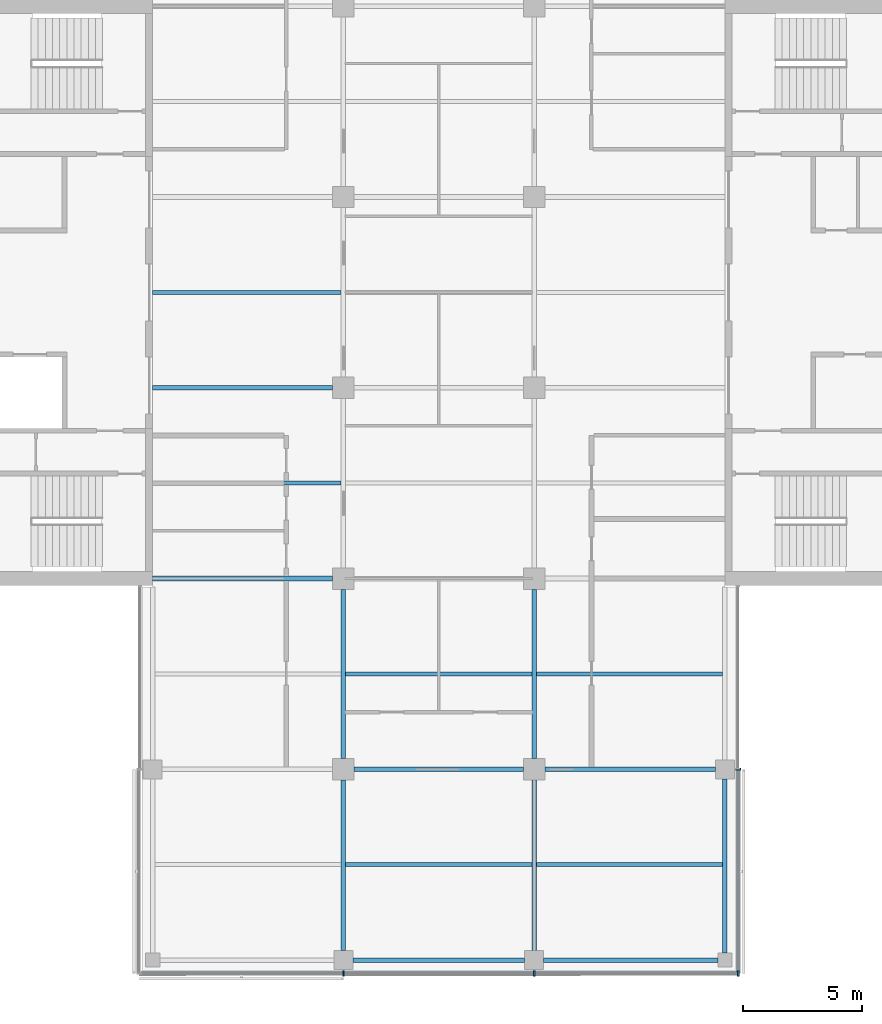
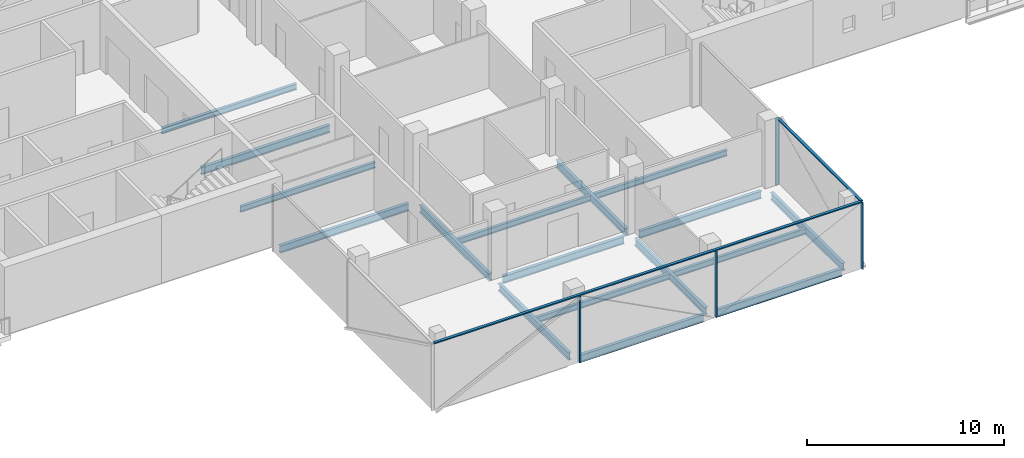
# One storey, part 4 of 18: 17 beams, 6 members, 2 elements without a shape of their own.
"""IFC4 building model written with IfcOpenShell, lengths in metres."""

from ifc_helpers import new_model, si_unit, direction, frame, origin, origin_2d, place, context, subcontext, project, spatial, rectangle, i_section, extrude, material, material_profile, profile_set, type_object, element, aggregate, save


model = new_model("IFC4")

# Units and contexts
model_context = context("Model", 3, precision=1e-05, world=origin(), true_north=direction((0.0, 1.0)))
body_context = subcontext(model_context, "Body", "Model", "MODEL_VIEW")
ifc_project = project(units=[si_unit("LENGTHUNIT", "METRE"), si_unit("AREAUNIT", "SQUARE_METRE"), si_unit("VOLUMEUNIT", "CUBIC_METRE"), si_unit("PLANEANGLEUNIT", "RADIAN"), si_unit("MASSUNIT", "GRAM", prefix="KILO")], contexts=[model_context])

# Site, building, storey
site_placement = place(None, origin())
site = spatial("IfcSite", under=ifc_project, at=site_placement, CompositionType="ELEMENT")
building_placement = place(site_placement, origin())
building = spatial("IfcBuilding", under=site, at=building_placement, Name="Crosswind Convention Tower", CompositionType="ELEMENT")
storey_placement = place(building_placement, frame((0.0, 0.0, 178.89990234375)))
storey = spatial("IfcBuildingStorey", under=building, at=storey_placement, Name="L37", CompositionType="ELEMENT", Elevation=178.89990234375)

# Beams
ifc_material_1 = material(Name="Steel S355", Category="steel")
ifc_material_profile_1 = material_profile(ifc_material_1, i_section(OverallWidth=0.18994140625, OverallDepth=0.45361328125, WebThickness=0.008544921875, FlangeThickness=0.0126953125, FilletRadius=0.01025390625, at=origin_2d()), Name="UB 457x191x67")
ifc_profile_set_1 = profile_set([ifc_material_profile_1], Name="Steel S355")
beam_type_1 = type_object("IfcBeamType", Name="Edge beam UB 457x191x67", PredefinedType="SPANDREL", material=ifc_profile_set_1)
beam_1_placement = place(storey_placement, frame((121.39990234375, 72.0, -0.526611328125), z_axis=(1.0, 0.0, 0.0), x_axis=(0.0, 1.0, 0.0)))
element("IfcBeam", 1, at=beam_1_placement, inside=storey, type_object=beam_type_1, Name="B16 L37 edge beam 12", PredefinedType="SPANDREL", context=body_context, shape_type="SweptSolid", body=[
    extrude(i_section(OverallWidth=0.18994140625, OverallDepth=0.45361328125, WebThickness=0.008544921875, FlangeThickness=0.0126953125, FilletRadius=0.01025390625, at=origin_2d()), origin(), (0.0, 0.0, 1.0), 7.2001953125),
])
for number, where, z_axis, x_axis, name in (
    (2, (129.39990234375, 72.0, -0.526611328125), (1.0, 0.0, 0.0), (0.0, 1.0, 0.0), "B16 L37 edge beam 14"),
    (3, (137.0, 72.300048828125, -0.526611328125), (0.0, 1.0, 0.0), (-1.0, 0.0, 0.0), "B16 L37 edge beam 16"),
):
    element("IfcBeam", number, at=place(storey_placement, frame(where, z_axis=z_axis, x_axis=x_axis)), inside=storey, type_object=beam_type_1, Name=name, PredefinedType="SPANDREL", context=body_context, shape_type="SweptSolid", body=[
        extrude(i_section(OverallWidth=0.18994140625, OverallDepth=0.45361328125, WebThickness=0.008544921875, FlangeThickness=0.0126953125, FilletRadius=0.01025390625, at=origin_2d()), origin(), (0.0, 0.0, 1.0), 7.300048828125),
    ])
ifc_material_profile_2 = material_profile(ifc_material_1, i_section(OverallWidth=0.1904296875, OverallDepth=0.457275390625, WebThickness=0.009033203125, FlangeThickness=0.014404296875, FilletRadius=0.01025390625, at=origin_2d()), Name="UB 457x191x75")
ifc_profile_set_2 = profile_set([ifc_material_profile_2], Name="Steel S355")
beam_type_2 = type_object("IfcBeamType", Name="Girder UB 457x191x75", PredefinedType="BEAM", material=ifc_profile_set_2)
beam_2_placement = place(storey_placement, frame((121.0, 72.39990234375, -0.528564453125), z_axis=(0.0, 1.0, 0.0), x_axis=(-1.0, 0.0, 0.0)))
element("IfcBeam", 4, at=beam_2_placement, inside=storey, type_object=beam_type_2, Name="B2 L37 girder 3", PredefinedType="BEAM", context=body_context, shape_type="SweptSolid", body=[
    extrude(i_section(OverallWidth=0.1904296875, OverallDepth=0.457275390625, WebThickness=0.009033203125, FlangeThickness=0.014404296875, FilletRadius=0.01025390625, at=origin_2d()), origin(), (0.0, 0.0, 1.0), 7.150146484375),
])
for number, where, z_axis, x_axis, name in (
    (5, (121.0, 80.449951171875, -0.528564453125), (0.0, 1.0, 0.0), (-1.0, 0.0, 0.0), "B2 L37 girder 4"),
    (6, (121.449951171875, 80.0, -0.528564453125), (1.0, 0.0, 0.0), (0.0, 1.0, 0.0), "B2 L37 girder 10"),
):
    element("IfcBeam", number, at=place(storey_placement, frame(where, z_axis=z_axis, x_axis=x_axis)), inside=storey, type_object=beam_type_2, Name=name, PredefinedType="BEAM", context=body_context, shape_type="SweptSolid", body=[
        extrude(i_section(OverallWidth=0.1904296875, OverallDepth=0.457275390625, WebThickness=0.009033203125, FlangeThickness=0.014404296875, FilletRadius=0.01025390625, at=origin_2d()), origin(), (0.0, 0.0, 1.0), 7.10009765625),
    ])
beam_3_placement = place(storey_placement, frame((129.0, 72.39990234375, -0.528564453125), z_axis=(0.0, 1.0, 0.0), x_axis=(-1.0, 0.0, 0.0)))
element("IfcBeam", 7, at=beam_3_placement, inside=storey, type_object=beam_type_2, Name="B2 L37 girder 16", PredefinedType="BEAM", context=body_context, shape_type="SweptSolid", body=[
    extrude(i_section(OverallWidth=0.1904296875, OverallDepth=0.457275390625, WebThickness=0.009033203125, FlangeThickness=0.014404296875, FilletRadius=0.01025390625, at=origin_2d()), origin(), (0.0, 0.0, 1.0), 7.150146484375),
])
beam_4_placement = place(storey_placement, frame((129.0, 80.449951171875, -0.528564453125), z_axis=(0.0, 1.0, 0.0), x_axis=(-1.0, 0.0, 0.0)))
element("IfcBeam", 8, at=beam_4_placement, inside=storey, type_object=beam_type_2, Name="B2 L37 girder 17", PredefinedType="BEAM", context=body_context, shape_type="SweptSolid", body=[
    extrude(i_section(OverallWidth=0.1904296875, OverallDepth=0.457275390625, WebThickness=0.009033203125, FlangeThickness=0.014404296875, FilletRadius=0.01025390625, at=origin_2d()), origin(), (0.0, 0.0, 1.0), 7.10009765625),
])
beam_5_placement = place(storey_placement, frame((129.449951171875, 80.0, -0.528564453125), z_axis=(1.0, 0.0, 0.0), x_axis=(0.0, 1.0, 0.0)))
element("IfcBeam", 9, at=beam_5_placement, inside=storey, type_object=beam_type_2, Name="B2 L37 girder 23", PredefinedType="BEAM", context=body_context, shape_type="SweptSolid", body=[
    extrude(i_section(OverallWidth=0.1904296875, OverallDepth=0.457275390625, WebThickness=0.009033203125, FlangeThickness=0.014404296875, FilletRadius=0.01025390625, at=origin_2d()), origin(), (0.0, 0.0, 1.0), 7.150146484375),
])
ifc_material_profile_3 = material_profile(ifc_material_1, i_section(OverallWidth=0.19140625, OverallDepth=0.460205078125, WebThickness=0.010009765625, FlangeThickness=0.01611328125, FilletRadius=0.01025390625, at=origin_2d()), Name="UB 457x191x82")
ifc_profile_set_3 = profile_set([ifc_material_profile_3], Name="Steel S355")
beam_type_3 = type_object("IfcBeamType", Name="Girder at core wall UB 457x191x82", PredefinedType="BEAM", material=ifc_profile_set_3)
for number, where, z_axis, x_axis, name in (
    (10, (113.0, 88.0, -0.530029296875), (1.0, 0.0, 0.0), (0.0, 1.0, 0.0), "B23 L37 girder at core wall 3"),
    (11, (113.0, 96.0, -0.530029296875), (1.0, 0.0, 0.0), (0.0, 1.0, 0.0), "B23 L37 girder at core wall 4"),
):
    element("IfcBeam", number, at=place(storey_placement, frame(where, z_axis=z_axis, x_axis=x_axis)), inside=storey, type_object=beam_type_3, Name=name, PredefinedType="BEAM", context=body_context, shape_type="SweptSolid", body=[
        extrude(i_section(OverallWidth=0.19140625, OverallDepth=0.460205078125, WebThickness=0.010009765625, FlangeThickness=0.01611328125, FilletRadius=0.01025390625, at=origin_2d()), origin(), (0.0, 0.0, 1.0), 7.550048828125),
    ])

# Curtain wall, members
ifc_material_2 = material(Name="Aluminium unitised curtain wall", Category="aluminium")
curtain_wall_type = type_object("IfcCurtainWallType", Name="OFFICE UNITISED WALL 220", PredefinedType="USERDEFINED", material=ifc_material_2)
curtain_wall_1_placement = place(storey_placement, origin())
curtain_wall_1 = element("IfcCurtainWall", 12, at=curtain_wall_1_placement, inside=storey, type_object=curtain_wall_type, Name="CW3 L37 S-TIP 1", ObjectType="UNITISED", PredefinedType="USERDEFINED")
ifc_material_3 = material(Name="Aluminium mullion", Category="aluminium")
ifc_material_profile_4 = material_profile(ifc_material_3, rectangle(XDim=0.219970703125, YDim=0.070068359375, at=origin_2d()), Name="AL 220X70")
ifc_profile_set_4 = profile_set([ifc_material_profile_4], Name="Aluminium mullion")
member_type_1 = type_object("IfcMemberType", Name="MULLION 70X220", PredefinedType="MULLION", material=ifc_profile_set_4)
member_1_placement = place(storey_placement, frame((121.0, 71.43994140625, -0.2998046875), z_axis=(0.0, 0.0, 1.0), x_axis=(0.0, -1.0, 0.0)))
member_1 = element("IfcMember", 13, at=member_1_placement, type_object=member_type_1, Name="CW3 mullion 2", PredefinedType="MULLION", context=body_context, shape_type="SweptSolid", body=[
    extrude(rectangle(XDim=0.219970703125, YDim=0.070068359375, at=origin_2d()), origin(), (0.0, 0.0, 1.0), 4.1298828125),
])
member_2_placement = place(storey_placement, frame((129.0, 71.43994140625, -0.2998046875), z_axis=(0.0, 0.0, 1.0), x_axis=(0.0, -1.0, 0.0)))
member_2 = element("IfcMember", 14, at=member_2_placement, type_object=member_type_1, Name="CW3 mullion 3", PredefinedType="MULLION", context=body_context, shape_type="SweptSolid", body=[
    extrude(rectangle(XDim=0.219970703125, YDim=0.070068359375, at=origin_2d()), origin(), (0.0, 0.0, 1.0), 4.1298828125),
])
member_3_placement = place(storey_placement, frame((137.56005859375, 71.43994140625, -0.2998046875), z_axis=(0.0, 0.0, 1.0), x_axis=(0.0, -1.0, 0.0)))
member_3 = element("IfcMember", 15, at=member_3_placement, type_object=member_type_1, Name="CW3 mullion 4", PredefinedType="MULLION", context=body_context, shape_type="SweptSolid", body=[
    extrude(rectangle(XDim=0.219970703125, YDim=0.070068359375, at=origin_2d()), origin(), (0.0, 0.0, 1.0), 4.1298828125),
])

# Curtain wall, member
curtain_wall_2_placement = place(storey_placement, origin())
curtain_wall_2 = element("IfcCurtainWall", 16, at=curtain_wall_2_placement, inside=storey, type_object=curtain_wall_type, Name="CW3 L37 S-E 1", ObjectType="UNITISED", PredefinedType="USERDEFINED")
member_4_placement = place(storey_placement, frame((137.56005859375, 80.0, -0.2998046875), z_axis=(0.0, 0.0, 1.0), x_axis=(1.0, 0.0, 0.0)))
member_4 = element("IfcMember", 17, at=member_4_placement, type_object=member_type_1, Name="CW3 mullion 2", PredefinedType="MULLION", context=body_context, shape_type="SweptSolid", body=[
    extrude(rectangle(XDim=0.219970703125, YDim=0.070068359375, at=origin_2d()), origin(), (0.0, 0.0, 1.0), 4.1298828125),
])

# Beams
ifc_material_profile_5 = material_profile(ifc_material_1, i_section(OverallWidth=0.172119140625, OverallDepth=0.358642578125, WebThickness=0.008056640625, FlangeThickness=0.012939453125, FilletRadius=0.01025390625, at=origin_2d()), Name="UB 356x171x57")
ifc_profile_set_5 = profile_set([ifc_material_profile_5], Name="Steel S355")
beam_type_4 = type_object("IfcBeamType", Name="Secondary beam UB 356x171x57", PredefinedType="JOIST", material=ifc_profile_set_5)
for number, where, z_axis, x_axis, name in (
    (18, (113.0, 92.0, -0.479248046875), (1.0, 0.0, 0.0), (0.0, 1.0, 0.0), "B9 L37 secondary beam 4"),
    (19, (113.0, 100.0, -0.479248046875), (1.0, 0.0, 0.0), (0.0, 1.0, 0.0), "B9 L37 secondary beam 5"),
):
    element("IfcBeam", number, at=place(storey_placement, frame(where, z_axis=z_axis, x_axis=x_axis)), inside=storey, type_object=beam_type_4, Name=name, PredefinedType="JOIST", context=body_context, shape_type="SweptSolid", body=[
        extrude(i_section(OverallWidth=0.172119140625, OverallDepth=0.358642578125, WebThickness=0.008056640625, FlangeThickness=0.012939453125, FilletRadius=0.01025390625, at=origin_2d()), origin(), (0.0, 0.0, 1.0), 7.90478515625),
    ])
for number, where, z_axis, x_axis, name in (
    (20, (121.09521484375, 76.0, -0.479248046875), (1.0, 0.0, 0.0), (0.0, 1.0, 0.0), "B9 L37 secondary beam 11"),
    (21, (121.09521484375, 84.0, -0.479248046875), (1.0, 0.0, 0.0), (0.0, 1.0, 0.0), "B9 L37 secondary beam 12"),
):
    element("IfcBeam", number, at=place(storey_placement, frame(where, z_axis=z_axis, x_axis=x_axis)), inside=storey, type_object=beam_type_4, Name=name, PredefinedType="JOIST", context=body_context, shape_type="SweptSolid", body=[
        extrude(i_section(OverallWidth=0.172119140625, OverallDepth=0.358642578125, WebThickness=0.008056640625, FlangeThickness=0.012939453125, FilletRadius=0.01025390625, at=origin_2d()), origin(), (0.0, 0.0, 1.0), 7.8095703125),
    ])
for number, where, z_axis, x_axis, name in (
    (22, (129.09521484375, 76.0, -0.479248046875), (1.0, 0.0, 0.0), (0.0, 1.0, 0.0), "B9 L37 secondary beam 18"),
    (23, (129.09521484375, 84.0, -0.479248046875), (1.0, 0.0, 0.0), (0.0, 1.0, 0.0), "B9 L37 secondary beam 19"),
):
    element("IfcBeam", number, at=place(storey_placement, frame(where, z_axis=z_axis, x_axis=x_axis)), inside=storey, type_object=beam_type_4, Name=name, PredefinedType="JOIST", context=body_context, shape_type="SweptSolid", body=[
        extrude(i_section(OverallWidth=0.172119140625, OverallDepth=0.358642578125, WebThickness=0.008056640625, FlangeThickness=0.012939453125, FilletRadius=0.01025390625, at=origin_2d()), origin(), (0.0, 0.0, 1.0), 7.809814453125),
    ])

# Member
ifc_material_4 = material(Name="Aluminium transom", Category="aluminium")
ifc_material_profile_6 = material_profile(ifc_material_4, rectangle(XDim=0.159912109375, YDim=0.070068359375, at=origin_2d()), Name="AL 160X70")
ifc_profile_set_6 = profile_set([ifc_material_profile_6], Name="Aluminium transom")
member_type_2 = type_object("IfcMemberType", Name="TRANSOM 70X160", PredefinedType="USERDEFINED", material=ifc_profile_set_6)
member_5_placement = place(storey_placement, frame((112.47509765625, 71.43994140625, 3.864990234375), z_axis=(1.0, 0.0, 0.0), x_axis=(0.0, 1.0, 0.0)))
member_5 = element("IfcMember", 24, at=member_5_placement, type_object=member_type_2, Name="CW3 transom", ObjectType="TRANSOM", PredefinedType="USERDEFINED", context=body_context, shape_type="SweptSolid", body=[
    extrude(rectangle(XDim=0.159912109375, YDim=0.070068359375, at=origin_2d()), origin(), (0.0, 0.0, 1.0), 25.0498046875),
])

aggregate(curtain_wall_1, [member_1, member_2, member_3, member_5])

member_6_placement = place(storey_placement, frame((137.56005859375, 71.47509765625, 3.864990234375), z_axis=(0.0, 1.0, 0.0), x_axis=(-1.0, 0.0, 0.0)))
member_6 = element("IfcMember", 25, at=member_6_placement, type_object=member_type_2, Name="CW3 transom", ObjectType="TRANSOM", PredefinedType="USERDEFINED", context=body_context, shape_type="SweptSolid", body=[
    extrude(rectangle(XDim=0.159912109375, YDim=0.070068359375, at=origin_2d()), origin(), (0.0, 0.0, 1.0), 8.489990234375),
])

aggregate(curtain_wall_2, [member_4, member_6])

save(model, "model.ifc")
